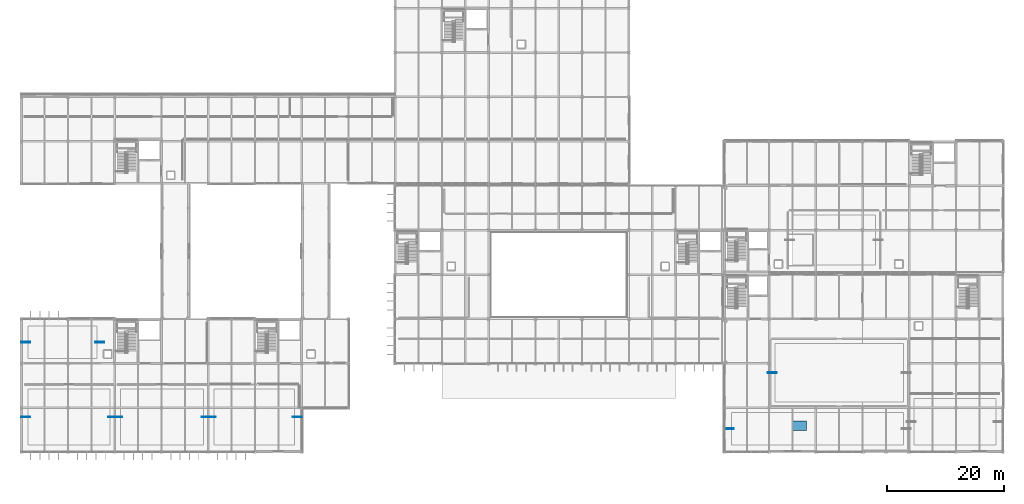
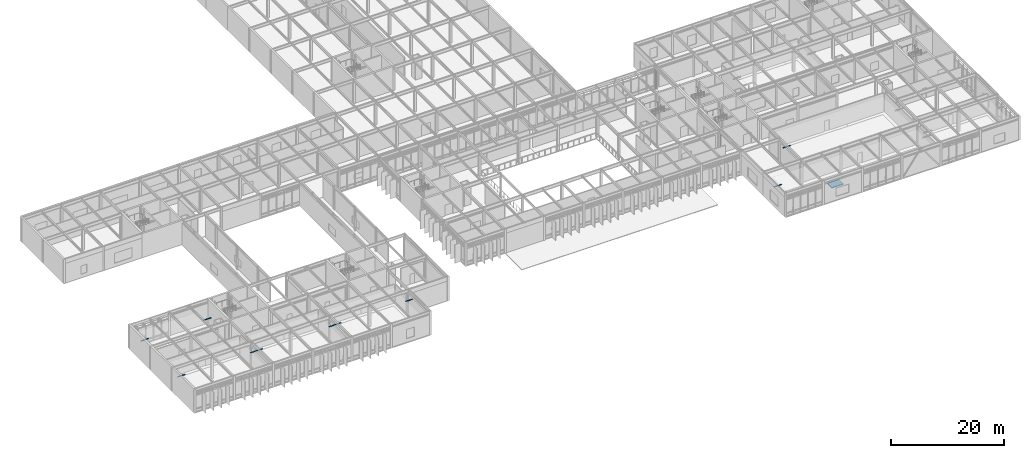
# One storey, part 80 of 94: 10 discrete accessories, 1 ramp flight, 1 element without a shape of its own.
"""IFC4 building model written with IfcOpenShell, lengths in metres."""

import ifcopenshell
import ifcopenshell.guid

model = None  # the IFC model being written
_history = None  # IfcOwnerHistory: only IFC2X3 demands one
_inside = {}  # id of a spatial element -> (the spatial element, [elements in it])
_under = {}  # id of a project, library or spatial element -> (it, [spatial elements below it])
_declared = {}  # id of a project -> (the project, [libraries it declares])
_typed = {}  # id of a type object -> (the type object, [elements of that type])
_made_of = {}  # id of a material, layer set ... -> (it, [elements and type objects made of it])


def new_model(schema):
    """Start an empty IFC model of exactly this schema.

    Asked for "IFC4X3", IfcOpenShell would pick the latest addendum, in which some entities
    have other attributes; the version numbers below select the first issue.
    IFC2X3 requires an IfcOwnerHistory on every rooted entity: one is made here for all.
    """
    global model, _history
    if schema == "IFC4X3":
        model = ifcopenshell.file(schema_version=(4, 3, 0, 0))
    else:
        model = ifcopenshell.file(schema=schema)
    _inside.clear()
    _under.clear()
    _declared.clear()
    _typed.clear()
    _made_of.clear()
    _history = None
    if model.schema == "IFC2X3":
        org = make("IfcOrganization", Name="unknown")
        user = make(
            "IfcPersonAndOrganization",
            ThePerson=make("IfcPerson", FamilyName="unknown"),
            TheOrganization=org,
        )
        app = make(
            "IfcApplication",
            ApplicationDeveloper=org,
            Version="unknown",
            ApplicationFullName="unknown",
            ApplicationIdentifier="unknown",
        )
        _history = make(
            "IfcOwnerHistory",
            OwningUser=user,
            OwningApplication=app,
            ChangeAction="ADDED",
            CreationDate=0,
        )
    return model


def make(cls, **values):
    """One entity of the class cls with the attributes given. An attribute that is None is left unset."""
    return model.create_entity(
        cls, **{name: value for name, value in values.items() if value is not None}
    )


def rooted(cls, **values):
    """An entity with a GlobalId (a new one), such as an element, a storey or a relation."""
    return make(cls, GlobalId=ifcopenshell.guid.new(), OwnerHistory=_history, **values)


def si_unit(unit_type, name, prefix=None):
    """IfcSIUnit, for example si_unit("LENGTHUNIT", "METRE", prefix="MILLI")."""
    return make("IfcSIUnit", UnitType=unit_type, Prefix=prefix, Name=name)


def assignment(units):
    """IfcUnitAssignment: the units of a project."""
    return None if units is None else make("IfcUnitAssignment", Units=units)


def point(xyz):
    """IfcCartesianPoint."""
    return None if xyz is None else make("IfcCartesianPoint", Coordinates=xyz)


def direction(xyz):
    """IfcDirection."""
    return None if xyz is None else make("IfcDirection", DirectionRatios=xyz)


def frame(location, z_axis=None, x_axis=None):
    """IfcAxis2Placement3D, a coordinate frame: its origin and axes. An axis left out is left unset."""
    return make(
        "IfcAxis2Placement3D",
        Location=point(location),
        Axis=direction(z_axis),
        RefDirection=direction(x_axis),
    )


def frame_2d(location, x_axis=None):
    """IfcAxis2Placement2D, a coordinate frame in the plane: its origin and x axis."""
    return make(
        "IfcAxis2Placement2D", Location=point(location), RefDirection=direction(x_axis)
    )


def origin():
    """The frame at (0, 0, 0) with its axes left unset."""
    return frame((0.0, 0.0, 0.0))


def origin_2d():
    """The frame at (0, 0) in the plane with its x axis left unset."""
    return frame_2d((0.0, 0.0))


def place(relative_to, where):
    """IfcLocalPlacement: puts the frame where relative to a parent placement (None: the world)."""
    return make(
        "IfcLocalPlacement", PlacementRelTo=relative_to, RelativePlacement=where
    )


def context(
    kind, dimensions, precision=None, world=None, true_north=None, identifier=None
):
    """IfcGeometricRepresentationContext, for example the 3D "Model" context."""
    return make(
        "IfcGeometricRepresentationContext",
        ContextIdentifier=identifier,
        ContextType=kind,
        CoordinateSpaceDimension=dimensions,
        Precision=precision,
        WorldCoordinateSystem=world,
        TrueNorth=true_north,
    )


def subcontext(parent, identifier, kind, view, scale=None):
    """IfcGeometricRepresentationSubContext, for example "Body" below "Model"."""
    return make(
        "IfcGeometricRepresentationSubContext",
        ContextIdentifier=identifier,
        ContextType=kind,
        ParentContext=parent,
        TargetScale=scale,
        TargetView=view,
    )


def project(units=None, contexts=None):
    """IfcProject with its units and contexts."""
    return rooted(
        "IfcProject",
        Name="project",
        RepresentationContexts=contexts,
        UnitsInContext=assignment(units),
    )


def spatial(cls, under=None, at=None, **own):
    """A site, building, storey or space (cls), placed at a placement, below another one or the project."""
    s = rooted(cls, ObjectPlacement=at, **own)
    if under is not None:
        _under.setdefault(under.id(), (under, []))[1].append(s)
    return s


def polyline(points):
    """IfcPolyline through the points."""
    return make("IfcPolyline", Points=[point(p) for p in points])


def profile(cls, at=None, kind="AREA", **sizes):
    """A parametric profile (cls). Its sizes go by their IFC names, for example OverallWidth=200.0."""
    return make(cls, ProfileType=kind, Position=at, **sizes)


def rectangle(**sizes):
    """IfcRectangleProfileDef."""
    return profile("IfcRectangleProfileDef", **sizes)


def outline(outer, holes=None, kind="AREA"):
    """IfcArbitraryClosedProfileDef: a profile drawn as a closed curve; with holes, ...WithVoids."""
    if holes is None:
        return make("IfcArbitraryClosedProfileDef", ProfileType=kind, OuterCurve=outer)
    return make(
        "IfcArbitraryProfileDefWithVoids",
        ProfileType=kind,
        OuterCurve=outer,
        InnerCurves=holes,
    )


def extrude(swept, where, along, depth):
    """IfcExtrudedAreaSolid: the profile swept, set in the frame where, extruded along a direction by depth."""
    return make(
        "IfcExtrudedAreaSolid",
        SweptArea=swept,
        Position=where,
        ExtrudedDirection=direction(along),
        Depth=depth,
    )


def shape(context_of_items, identifier, shape_type, items):
    """IfcShapeRepresentation: the items that make up one representation, for example the "Body"."""
    return make(
        "IfcShapeRepresentation",
        ContextOfItems=context_of_items,
        RepresentationIdentifier=identifier,
        RepresentationType=shape_type,
        Items=items,
    )


def material(Name=None, Category=None):
    """IfcMaterial."""
    return make("IfcMaterial", Name=Name, Category=Category)


def layer(
    of_material, thickness, ventilated=None, Name=None, Category=None, Priority=None
):
    """IfcMaterialLayer: one layer of a wall or slab, of a material (None: an air gap)."""
    return make(
        "IfcMaterialLayer",
        Material=of_material,
        LayerThickness=thickness,
        IsVentilated=ventilated,
        Name=Name,
        Category=Category,
        Priority=Priority,
    )


def layer_set(layers, Name=None):
    """IfcMaterialLayerSet."""
    return make("IfcMaterialLayerSet", MaterialLayers=layers, LayerSetName=Name)


def made_of(thing, what):
    """Note that an element or type object is made of a material, layer set ...; save() writes the relation."""
    if what is not None:
        _made_of.setdefault(what.id(), (what, []))[1].append(thing)
    return thing


def type_object(cls, material=None, **own):
    """A type object (cls), such as IfcWallType, which elements share."""
    return made_of(rooted(cls, **own), material)


def element(
    cls,
    number,
    at=None,
    inside=None,
    cuts=None,
    type_object=None,
    material=None,
    context=None,
    identifier="Body",
    shape_type=None,
    held_by="IfcProductDefinitionShape",
    body=None,
    shapes=None,
    **own,
):
    """One element of the class cls, such as IfcWall. Its Tag is "e" and its number.

    at: its placement. inside: the storey or other place that contains it. cuts: it is an
    opening in that element (IfcRelVoidsElement). A single representation is given by context,
    identifier, shape_type and body (its items); several are given by shapes. held_by: the class
    of the entity that holds the representations. save() writes the other relations.
    """
    e = rooted(cls, Tag="e%d" % number, ObjectPlacement=at, **own)
    if body is not None:
        shapes = [shape(context, identifier, shape_type, body)]
    if shapes is not None:
        e.Representation = make(held_by, Representations=shapes)
    if inside is not None:
        _inside.setdefault(inside.id(), (inside, []))[1].append(e)
    if cuts is not None:
        rooted(
            "IfcRelVoidsElement", RelatingBuildingElement=cuts, RelatedOpeningElement=e
        )
    if type_object is not None:
        _typed.setdefault(type_object.id(), (type_object, []))[1].append(e)
    return made_of(e, material)


def aggregate(whole, parts):
    """IfcRelAggregates: a whole, such as a stair, and the parts it consists of."""
    return rooted("IfcRelAggregates", RelatingObject=whole, RelatedObjects=parts)


def save(model, path):
    """Write the relations noted so far, then the file.

    IfcRelAggregates (storeys below a building ...), IfcRelContainedInSpatialStructure (elements
    in a storey), IfcRelDefinesByType, IfcRelAssociatesMaterial and IfcRelDeclares: one each for
    every whole, place, type object, material and project.
    """
    for whole, parts in _under.values():
        aggregate(whole, parts)
    for where, things in _inside.values():
        rooted(
            "IfcRelContainedInSpatialStructure",
            RelatedElements=things,
            RelatingStructure=where,
        )
    for kind, things in _typed.values():
        rooted("IfcRelDefinesByType", RelatedObjects=things, RelatingType=kind)
    for what, things in _made_of.values():
        rooted("IfcRelAssociatesMaterial", RelatedObjects=things, RelatingMaterial=what)
    for by, libraries in _declared.values():
        rooted("IfcRelDeclares", RelatingContext=by, RelatedDefinitions=libraries)
    model.write(path)


model = new_model("IFC4")

# Units and contexts
model_context = context("Model", 3, precision=1e-05, world=origin(), true_north=direction((0.0, 1.0)))
body_context = subcontext(model_context, "Body", "Model", "MODEL_VIEW")
ifc_project = project(units=[si_unit("LENGTHUNIT", "METRE"), si_unit("AREAUNIT", "SQUARE_METRE"), si_unit("VOLUMEUNIT", "CUBIC_METRE"), si_unit("PLANEANGLEUNIT", "RADIAN"), si_unit("MASSUNIT", "GRAM", prefix="KILO")], contexts=[model_context])

# Site, building, storey
site_placement = place(None, origin())
site = spatial("IfcSite", under=ifc_project, at=site_placement, CompositionType="ELEMENT")
building_placement = place(site_placement, origin())
building = spatial("IfcBuilding", under=site, at=building_placement, Name="Zulena Civic Courthouse", CompositionType="ELEMENT")
storey_placement = place(building_placement, frame((0.0, 0.0, 5.39990234375)))
storey = spatial("IfcBuildingStorey", under=building, at=storey_placement, Name="L01", CompositionType="ELEMENT", Elevation=5.39990234375)

# Ramp, ramp flight
ifc_material_1 = material(Name="Concrete C35/45", Category="concrete")
ramp_type = type_object("IfcRampType", Name="AccessibleRamp_1600", PredefinedType="STRAIGHT_RUN_RAMP", material=ifc_material_1)
ramp_placement = place(storey_placement, origin())
ramp = element("IfcRamp", 1, at=ramp_placement, inside=storey, type_object=ramp_type, Name="ramp:acc:3", PredefinedType="STRAIGHT_RUN_RAMP")
ifc_layer_1 = layer(ifc_material_1, 0.179931640625)
ifc_layer_set_1 = layer_set([ifc_layer_1], Name="Concrete C35/45")
ramp_flight_type = type_object("IfcRampFlightType", Name="AccessibleRampFlight_1600", PredefinedType="STRAIGHT", material=ifc_layer_set_1)
ramp_flight_placement = place(storey_placement, frame((136.0, 4.5, 0.0), z_axis=(0.0, 0.0, 1.0), x_axis=(1.0, 0.0, 0.0)))
ramp_flight = element("IfcRampFlight", 2, at=ramp_flight_placement, type_object=ramp_flight_type, Name="ramp:acc:3:FL1", PredefinedType="STRAIGHT", context=body_context, shape_type="SweptSolid", body=[
    extrude(outline(polyline([(0.0, 0.0), (2.39990234375, 0.0), (2.39990234375, -0.179931640625), (0.0, -0.179931640625), (0.0, 0.0)])), frame((0.0, 0.800048828125, 0.0), z_axis=(0.0, -1.0, 0.0), x_axis=(1.0, 0.0, 0.0)), (0.0, 0.0, 1.0), 1.60009765625),
])
aggregate(ramp, [ramp_flight])

# Discrete accessories
ifc_material_2 = material(Name="Gold anodised architectural aluminium AA6063-T6", Category="aluminium")
ifc_layer_2 = layer(ifc_material_2, 0.1201171875)
ifc_layer_set_2 = layer_set([ifc_layer_2], Name="Gold anodised architectural aluminium AA6063-T6")
discrete_accessory_type = type_object("IfcDiscreteAccessoryType", Name="FinOutriggerBracket", PredefinedType="BRACKET", material=ifc_layer_set_2)
for number, where, z_axis, x_axis, name in (
    (3, (132.550048828125, 13.60009765625, 3.989990234375), (0.0, 0.0, 1.0), (1.0, 0.0, 0.0), "hng:ceil:L01:215:0"),
    (4, (125.14990234375, 4.0, 3.989990234375), (0.0, 0.0, 1.0), (1.0, 0.0, 0.0), "hng:ceil:L01:216:0"),
    (5, (4.75, 6.0, 3.989990234375), (0.0, 0.0, 1.0), (1.0, 0.0, 0.0), "hng:ceil:L01:295:0"),
    (6, (19.64990234375, 6.0, 3.989990234375), (0.0, 0.0, 1.0), (1.0, 0.0, 0.0), "hng:ceil:L01:295:1"),
    (7, (20.550048828125, 6.0, 3.989990234375), (0.0, 0.0, 1.0), (1.0, 0.0, 0.0), "hng:ceil:L01:296:0"),
    (8, (35.64990234375, 6.0, 3.989990234375), (0.0, 0.0, 1.0), (1.0, 0.0, 0.0), "hng:ceil:L01:296:1"),
    (9, (36.550048828125, 6.0, 3.989990234375), (0.0, 0.0, 1.0), (1.0, 0.0, 0.0), "hng:ceil:L01:297:0"),
    (10, (51.25, 6.0, 3.989990234375), (0.0, 0.0, 1.0), (1.0, 0.0, 0.0), "hng:ceil:L01:297:1"),
    (11, (4.75, 18.800048828125, 3.989990234375), (0.0, 0.0, 1.0), (1.0, 0.0, 0.0), "hng:ceil:L01:298:0"),
    (12, (17.449951171875, 18.800048828125, 3.989990234375), (0.0, 0.0, 1.0), (1.0, 0.0, 0.0), "hng:ceil:L01:298:1"),
):
    element("IfcDiscreteAccessory", number, at=place(storey_placement, frame(where, z_axis=z_axis, x_axis=x_axis)), inside=storey, type_object=discrete_accessory_type, Name=name, PredefinedType="BRACKET", context=body_context, shape_type="SweptSolid", body=[
        extrude(rectangle(XDim=1.550048828125, YDim=0.1201171875, at=origin_2d()), origin(), (0.0, 0.0, 1.0), 0.080078125),
    ])

save(model, "model.ifc")
